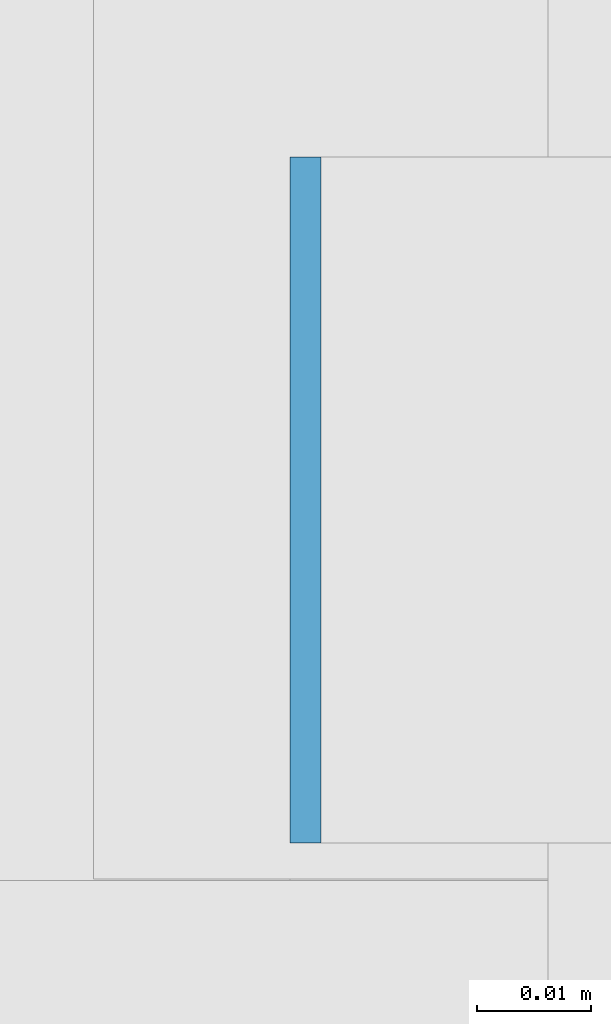
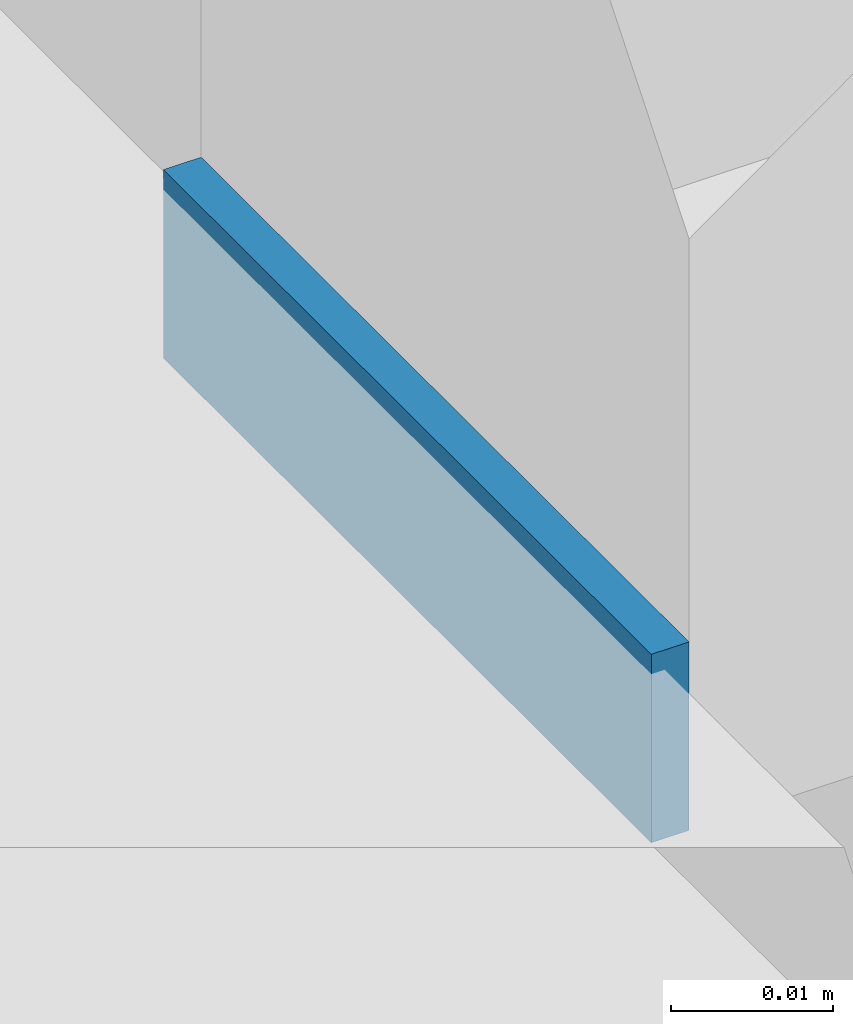
# One storey, part 440 of 646: 1 discrete accessory.
"""IFC4 building model written with IfcOpenShell, lengths in metres."""

from ifc_helpers import new_model, si_unit, direction, frame, origin, origin_2d, place, context, subcontext, project, spatial, rectangle, extrude, material, type_object, element, save


model = new_model("IFC4")

# Units and contexts
model_context = context("Model", 3, precision=1e-05, world=origin(), true_north=direction((0.0, 1.0)))
body_context = subcontext(model_context, "Body", "Model", "MODEL_VIEW")
ifc_project = project(units=[si_unit("LENGTHUNIT", "METRE"), si_unit("AREAUNIT", "SQUARE_METRE"), si_unit("VOLUMEUNIT", "CUBIC_METRE"), si_unit("PLANEANGLEUNIT", "RADIAN"), si_unit("MASSUNIT", "GRAM", prefix="KILO")], contexts=[model_context])

# Site, building, storey
site_placement = place(None, origin())
site = spatial("IfcSite", under=ifc_project, at=site_placement, CompositionType="ELEMENT")
building_placement = place(site_placement, origin())
building = spatial("IfcBuilding", under=site, at=building_placement, Name="Silverbay Arena", CompositionType="ELEMENT")
storey_placement = place(building_placement, frame((0.0, 0.0, 33.5)))
storey = spatial("IfcBuildingStorey", under=building, at=storey_placement, Name="L05", CompositionType="ELEMENT", Elevation=33.5)

# Discrete accessory
ifc_material = material(Name="Steel S355", Category="steel")
discrete_accessory_type = type_object("IfcDiscreteAccessoryType", Name="Steel bracket plate", PredefinedType="BRACKET", material=ifc_material)
discrete_accessory_placement = place(storey_placement, frame((207.128662109375, 33.13330078125, 4.0), z_axis=(0.0, 0.0, 1.0), x_axis=(1.0, 0.0, 0.0)))
element("IfcDiscreteAccessory", 1, at=discrete_accessory_placement, inside=storey, type_object=discrete_accessory_type, Name="Curtain wall packing plate", PredefinedType="BRACKET", context=body_context, shape_type="SweptSolid", body=[
    extrude(rectangle(XDim=0.002685546875, YDim=0.06005859375, at=origin_2d()), origin(), (0.0, 0.0, 1.0), 0.01416015625),
])

save(model, "model.ifc")
